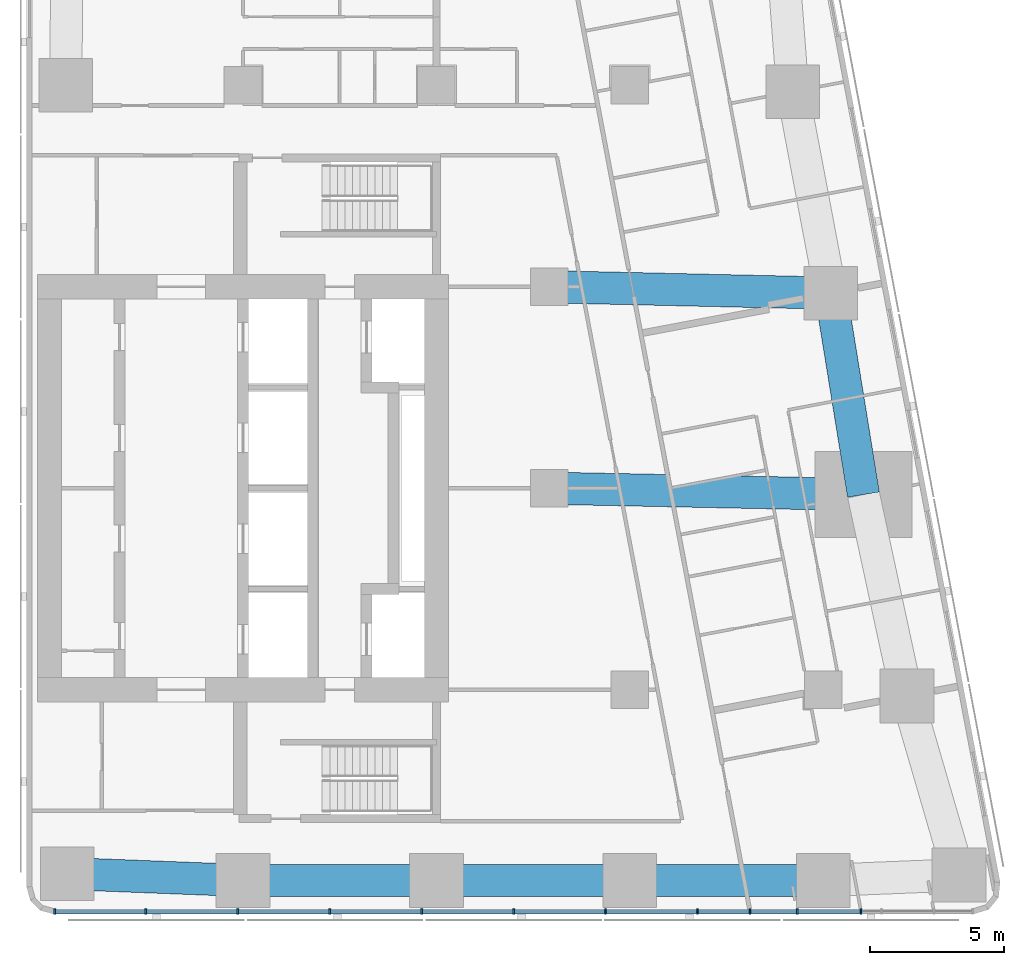
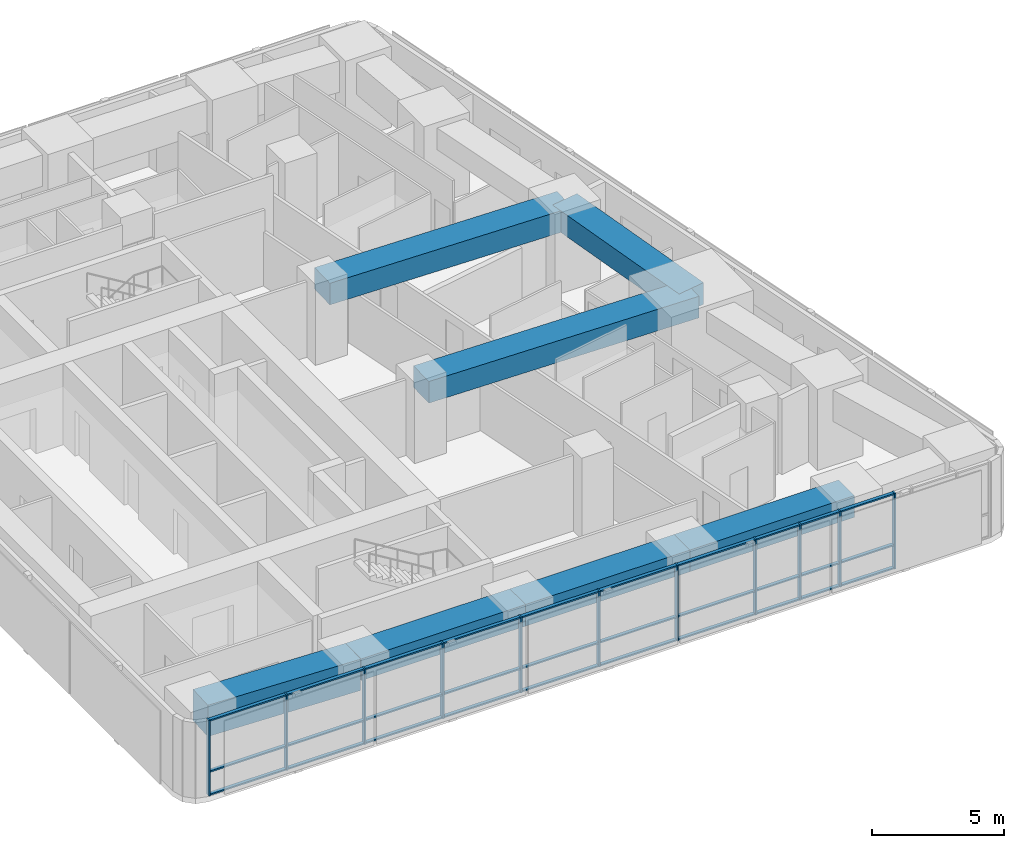
# One storey, part 2 of 11: 41 members, 7 beams, 1 element without a shape of its own.
"""IFC4 building model written with IfcOpenShell, lengths in metres."""

from ifc_helpers import new_model, si_unit, direction, frame, origin, origin_2d, place, context, subcontext, project, spatial, rectangle, extrude, material, material_profile, profile_set, type_object, element, aggregate, save


model = new_model("IFC4")

# Units and contexts
model_context = context("Model", 3, precision=1e-05, world=origin(), true_north=direction((0.0, 1.0)))
body_context = subcontext(model_context, "Body", "Model", "MODEL_VIEW")
ifc_project = project(units=[si_unit("LENGTHUNIT", "METRE"), si_unit("AREAUNIT", "SQUARE_METRE"), si_unit("VOLUMEUNIT", "CUBIC_METRE"), si_unit("PLANEANGLEUNIT", "RADIAN"), si_unit("MASSUNIT", "GRAM", prefix="KILO")], contexts=[model_context])

# Site, building, storey
site_placement = place(None, origin())
site = spatial("IfcSite", under=ifc_project, at=site_placement, CompositionType="ELEMENT")
building_placement = place(site_placement, origin())
building = spatial("IfcBuilding", under=site, at=building_placement, Name="Sheger Commons Tower", CompositionType="ELEMENT")
storey_placement = place(building_placement, frame((0.0, 0.0, 274.10009765625)))
storey = spatial("IfcBuildingStorey", under=building, at=storey_placement, Name="L70", CompositionType="ELEMENT", Elevation=274.10009765625)

# Beams
ifc_material_1 = material(Name="Concrete C50/60", Category="concrete")
ifc_material_profile_1 = material_profile(ifc_material_1, rectangle(XDim=1.199951171875, YDim=1.0, at=origin_2d()), Name="RC 1200x1000")
ifc_profile_set_1 = profile_set([ifc_material_profile_1], Name="Concrete C50/60")
beam_type_1 = type_object("IfcBeamType", Name="BEAM RC 1200x1000", PredefinedType="BEAM", material=ifc_profile_set_1)
beam_1_placement = place(storey_placement, frame((33.0, 22.5, 3.0), z_axis=(0.999794692776, -0.02026258368, 0.0), x_axis=(0.02026258368, 0.999794692776, 0.0)))
element("IfcBeam", 1, at=beam_1_placement, inside=storey, type_object=beam_type_1, Name="Beam 6-3000/D-7/D under L71", PredefinedType="BEAM", context=body_context, shape_type="SweptSolid", body=[
    extrude(rectangle(XDim=1.199951171875, YDim=1.0, at=origin_2d()), origin(), (0.0, 0.0, 1.0), 11.699462890625),
])
beam_2_placement = place(storey_placement, frame((33.0, 30.0, 3.0), z_axis=(0.999744258625, -0.022614538395, 0.0), x_axis=(0.022614538395, 0.999744258625, 0.0)))
element("IfcBeam", 2, at=beam_2_placement, inside=storey, type_object=beam_type_1, Name="Beam 6-3000/E-E/E under L71", PredefinedType="BEAM", context=body_context, shape_type="SweptSolid", body=[
    extrude(rectangle(XDim=1.199951171875, YDim=1.0, at=origin_2d()), origin(), (0.0, 0.0, 1.0), 10.482666015625),
])

# Curtain wall, members
ifc_material_2 = material(Name="Black aluminium curtain wall, dark tinted glazing", Category="aluminium")
curtain_wall_type = type_object("IfcCurtainWallType", Name="CURTAIN WALL CW5 SOUTH GALLERY", PredefinedType="USERDEFINED", material=ifc_material_2)
curtain_wall_placement = place(storey_placement, origin())
curtain_wall = element("IfcCurtainWall", 3, at=curtain_wall_placement, inside=storey, type_object=curtain_wall_type, Name="Curtain Wall Cw5 South Gallery S1 L70", ObjectType="UNITISED CURTAIN WALL", PredefinedType="USERDEFINED")
ifc_material_3 = material(Name="Black anodised aluminium", Category="aluminium")
ifc_material_profile_2 = material_profile(ifc_material_3, rectangle(XDim=0.199951171875, YDim=0.06494140625, at=origin_2d()), Name="AL 65x200")
ifc_profile_set_2 = profile_set([ifc_material_profile_2], Name="Black anodised aluminium")
member_type_1 = type_object("IfcMemberType", Name="MULLION AL 65x200", PredefinedType="MULLION", material=ifc_profile_set_2)
member_1_placement = place(storey_placement, frame((14.595458984375, 6.75, 0.0), z_axis=(0.0, 0.0, 1.0), x_axis=(0.0, 1.0, 0.0)))
member_1 = element("IfcMember", 4, at=member_1_placement, type_object=member_type_1, Name="CW5 mullion 1", PredefinedType="MULLION", context=body_context, shape_type="SweptSolid", body=[
    extrude(rectangle(XDim=0.199951171875, YDim=0.06494140625, at=origin_2d()), origin(), (0.0, 0.0, 1.0), 3.5),
])
member_2_placement = place(storey_placement, frame((17.985107421875, 6.75, 0.0), z_axis=(0.0, 0.0, 1.0), x_axis=(0.0, 1.0, 0.0)))
member_2 = element("IfcMember", 5, at=member_2_placement, type_object=member_type_1, Name="CW5 mullion 2", PredefinedType="MULLION", context=body_context, shape_type="SweptSolid", body=[
    extrude(rectangle(XDim=0.199951171875, YDim=0.06494140625, at=origin_2d()), origin(), (0.0, 0.0, 1.0), 3.5),
])
member_3_placement = place(storey_placement, frame((21.407958984375, 6.75, 0.0), z_axis=(0.0, 0.0, 1.0), x_axis=(0.0, 1.0, 0.0)))
member_3 = element("IfcMember", 6, at=member_3_placement, type_object=member_type_1, Name="CW5 mullion 3", PredefinedType="MULLION", context=body_context, shape_type="SweptSolid", body=[
    extrude(rectangle(XDim=0.199951171875, YDim=0.06494140625, at=origin_2d()), origin(), (0.0, 0.0, 1.0), 3.5),
])
member_4_placement = place(storey_placement, frame((24.830078125, 6.75, 0.0), z_axis=(0.0, 0.0, 1.0), x_axis=(0.0, 1.0, 0.0)))
member_4 = element("IfcMember", 7, at=member_4_placement, type_object=member_type_1, Name="CW5 mullion 4", PredefinedType="MULLION", context=body_context, shape_type="SweptSolid", body=[
    extrude(rectangle(XDim=0.199951171875, YDim=0.06494140625, at=origin_2d()), origin(), (0.0, 0.0, 1.0), 3.5),
])
member_5_placement = place(storey_placement, frame((28.2529296875, 6.75, 0.0), z_axis=(0.0, 0.0, 1.0), x_axis=(0.0, 1.0, 0.0)))
member_5 = element("IfcMember", 8, at=member_5_placement, type_object=member_type_1, Name="CW5 mullion 5", PredefinedType="MULLION", context=body_context, shape_type="SweptSolid", body=[
    extrude(rectangle(XDim=0.199951171875, YDim=0.06494140625, at=origin_2d()), origin(), (0.0, 0.0, 1.0), 3.5),
])
member_6_placement = place(storey_placement, frame((31.675048828125, 6.75, 0.0), z_axis=(0.0, 0.0, 1.0), x_axis=(0.0, 1.0, 0.0)))
member_6 = element("IfcMember", 9, at=member_6_placement, type_object=member_type_1, Name="CW5 mullion 6", PredefinedType="MULLION", context=body_context, shape_type="SweptSolid", body=[
    extrude(rectangle(XDim=0.199951171875, YDim=0.06494140625, at=origin_2d()), origin(), (0.0, 0.0, 1.0), 3.5),
])
member_7_placement = place(storey_placement, frame((35.096923828125, 6.75, 0.0), z_axis=(0.0, 0.0, 1.0), x_axis=(0.0, 1.0, 0.0)))
member_7 = element("IfcMember", 10, at=member_7_placement, type_object=member_type_1, Name="CW5 mullion 7", PredefinedType="MULLION", context=body_context, shape_type="SweptSolid", body=[
    extrude(rectangle(XDim=0.199951171875, YDim=0.06494140625, at=origin_2d()), origin(), (0.0, 0.0, 1.0), 3.5),
])
member_8_placement = place(storey_placement, frame((38.52001953125, 6.75, 0.0), z_axis=(0.0, 0.0, 1.0), x_axis=(0.0, 1.0, 0.0)))
member_8 = element("IfcMember", 11, at=member_8_placement, type_object=member_type_1, Name="CW5 mullion 8", PredefinedType="MULLION", context=body_context, shape_type="SweptSolid", body=[
    extrude(rectangle(XDim=0.199951171875, YDim=0.06494140625, at=origin_2d()), origin(), (0.0, 0.0, 1.0), 3.5),
])
member_9_placement = place(storey_placement, frame((40.47412109375, 6.75, 0.0), z_axis=(0.0, 0.0, 1.0), x_axis=(0.0, 1.0, 0.0)))
member_9 = element("IfcMember", 12, at=member_9_placement, type_object=member_type_1, Name="CW5 mullion 9", PredefinedType="MULLION", context=body_context, shape_type="SweptSolid", body=[
    extrude(rectangle(XDim=0.199951171875, YDim=0.06494140625, at=origin_2d()), origin(), (0.0, 0.0, 1.0), 3.5),
])
member_10_placement = place(storey_placement, frame((42.22802734375, 6.75, 0.0), z_axis=(0.0, 0.0, 1.0), x_axis=(0.0, 1.0, 0.0)))
member_10 = element("IfcMember", 13, at=member_10_placement, type_object=member_type_1, Name="CW5 mullion 10", PredefinedType="MULLION", context=body_context, shape_type="SweptSolid", body=[
    extrude(rectangle(XDim=0.199951171875, YDim=0.06494140625, at=origin_2d()), origin(), (0.0, 0.0, 1.0), 3.5),
])
member_11_placement = place(storey_placement, frame((44.60595703125, 6.75, 0.0), z_axis=(0.0, 0.0, 1.0), x_axis=(0.0, 1.0, 0.0)))
member_11 = element("IfcMember", 14, at=member_11_placement, type_object=member_type_1, Name="CW5 mullion 11", PredefinedType="MULLION", context=body_context, shape_type="SweptSolid", body=[
    extrude(rectangle(XDim=0.199951171875, YDim=0.06494140625, at=origin_2d()), origin(), (0.0, 0.0, 1.0), 3.5),
])

# Beams
ifc_material_4 = material(Name="Concrete C50/60", Category="concrete")
ifc_material_profile_3 = material_profile(ifc_material_4, rectangle(XDim=1.199951171875, YDim=1.0, at=origin_2d()), Name="RC 1200x1000")
ifc_profile_set_3 = profile_set([ifc_material_profile_3], Name="Concrete C50/60")
beam_type_2 = type_object("IfcBeamType", Name="SPANDREL RC 1200x1000", PredefinedType="SPANDREL", material=ifc_profile_set_3)
for number, where, z_axis, x_axis, name in (
    (15, (21.60009765625, 7.89990234375, 3.0), (1.0, 0.0, 0.0), (0.0, 1.0, 0.0), "Beam 4/B-5/B under L71"),
    (16, (28.800048828125, 7.89990234375, 3.0), (1.0, 0.0, 0.0), (0.0, 1.0, 0.0), "Beam 5/B-6/B under L71"),
    (17, (36.0, 7.89990234375, 3.0), (1.0, 0.0, 0.0), (0.0, 1.0, 0.0), "Beam 6/B-7/B under L71"),
):
    element("IfcBeam", number, at=place(storey_placement, frame(where, z_axis=z_axis, x_axis=x_axis)), inside=storey, type_object=beam_type_2, Name=name, PredefinedType="SPANDREL", context=body_context, shape_type="SweptSolid", body=[
        extrude(rectangle(XDim=1.199951171875, YDim=1.0, at=origin_2d()), origin(), (0.0, 0.0, 1.0), 7.199951171875),
    ])
beam_3_placement = place(storey_placement, frame((44.697021484375, 22.262939453125, 3.0), z_axis=(-0.160176929512, 0.987088319884, 0.0), x_axis=(-0.987088319884, -0.160176929512, 0.0)))
element("IfcBeam", 18, at=beam_3_placement, inside=storey, type_object=beam_type_2, Name="Beam E/D-E/E under L71", PredefinedType="SPANDREL", context=body_context, shape_type="SweptSolid", body=[
    extrude(rectangle(XDim=1.199951171875, YDim=1.0, at=origin_2d()), origin(), (0.0, 0.0, 1.0), 7.59814453125),
])
ifc_material_5 = material(Name="Concrete C50/60", Category="concrete")
ifc_material_profile_4 = material_profile(ifc_material_5, rectangle(XDim=1.199951171875, YDim=1.449951171875, at=origin_2d()), Name="RC 1200x1450")
ifc_profile_set_4 = profile_set([ifc_material_profile_4], Name="Concrete C50/60")
beam_type_3 = type_object("IfcBeamType", Name="SPANDREL RC 1200x1450", PredefinedType="SPANDREL", material=ifc_profile_set_4)
beam_4_placement = place(storey_placement, frame((15.053955078125, 8.154052734375, 2.77490234375), z_axis=(0.999247181966, -0.038795223079, 0.0), x_axis=(0.038795223079, 0.999247181966, 0.0)))
element("IfcBeam", 19, at=beam_4_placement, inside=storey, type_object=beam_type_3, Name="Beam 3/B-4/B under L71", PredefinedType="SPANDREL", context=body_context, shape_type="SweptSolid", body=[
    extrude(rectangle(XDim=1.199951171875, YDim=1.449951171875, at=origin_2d()), origin(), (0.0, 0.0, 1.0), 6.551025390625),
])

# Member
ifc_material_6 = material(Name="Black anodised aluminium", Category="aluminium")
ifc_material_profile_5 = material_profile(ifc_material_6, rectangle(XDim=0.14990234375, YDim=0.06494140625, at=origin_2d()), Name="AL 65x150")
ifc_profile_set_5 = profile_set([ifc_material_profile_5], Name="Black anodised aluminium")
member_type_2 = type_object("IfcMemberType", Name="TRANSOM AL 65x150", PredefinedType="USERDEFINED", material=ifc_profile_set_5)
member_12_placement = place(storey_placement, frame((14.6279296875, 6.75, 0.032470703125), z_axis=(1.0, 0.0, 0.0), x_axis=(0.0, 1.0, 0.0)))
member_12 = element("IfcMember", 20, at=member_12_placement, type_object=member_type_2, Name="CW5 transom 1.1", ObjectType="TRANSOM", PredefinedType="USERDEFINED", context=body_context, shape_type="SweptSolid", body=[
    extrude(rectangle(XDim=0.14990234375, YDim=0.06494140625, at=origin_2d()), origin(), (0.0, 0.0, 1.0), 3.324462890625),
])

member_13_placement = place(storey_placement, frame((14.6279296875, 6.75, 1.099853515625), z_axis=(1.0, 0.0, 0.0), x_axis=(0.0, 1.0, 0.0)))
member_13 = element("IfcMember", 21, at=member_13_placement, type_object=member_type_2, Name="CW5 transom 1.2", ObjectType="TRANSOM", PredefinedType="USERDEFINED", context=body_context, shape_type="SweptSolid", body=[
    extrude(rectangle(XDim=0.14990234375, YDim=0.06494140625, at=origin_2d()), origin(), (0.0, 0.0, 1.0), 3.324462890625),
])

member_14_placement = place(storey_placement, frame((14.6279296875, 6.75, 3.46728515625), z_axis=(1.0, 0.0, 0.0), x_axis=(0.0, 1.0, 0.0)))
member_14 = element("IfcMember", 22, at=member_14_placement, type_object=member_type_2, Name="CW5 transom 1.3", ObjectType="TRANSOM", PredefinedType="USERDEFINED", context=body_context, shape_type="SweptSolid", body=[
    extrude(rectangle(XDim=0.14990234375, YDim=0.06494140625, at=origin_2d()), origin(), (0.0, 0.0, 1.0), 3.324462890625),
])

member_15_placement = place(storey_placement, frame((18.017578125, 6.75, 0.032470703125), z_axis=(1.0, 0.0, 0.0), x_axis=(0.0, 1.0, 0.0)))
member_15 = element("IfcMember", 23, at=member_15_placement, type_object=member_type_2, Name="CW5 transom 2.1", ObjectType="TRANSOM", PredefinedType="USERDEFINED", context=body_context, shape_type="SweptSolid", body=[
    extrude(rectangle(XDim=0.14990234375, YDim=0.06494140625, at=origin_2d()), origin(), (0.0, 0.0, 1.0), 3.35791015625),
])

member_16_placement = place(storey_placement, frame((18.017578125, 6.75, 1.099853515625), z_axis=(1.0, 0.0, 0.0), x_axis=(0.0, 1.0, 0.0)))
member_16 = element("IfcMember", 24, at=member_16_placement, type_object=member_type_2, Name="CW5 transom 2.2", ObjectType="TRANSOM", PredefinedType="USERDEFINED", context=body_context, shape_type="SweptSolid", body=[
    extrude(rectangle(XDim=0.14990234375, YDim=0.06494140625, at=origin_2d()), origin(), (0.0, 0.0, 1.0), 3.35791015625),
])

member_17_placement = place(storey_placement, frame((18.017578125, 6.75, 3.46728515625), z_axis=(1.0, 0.0, 0.0), x_axis=(0.0, 1.0, 0.0)))
member_17 = element("IfcMember", 25, at=member_17_placement, type_object=member_type_2, Name="CW5 transom 2.3", ObjectType="TRANSOM", PredefinedType="USERDEFINED", context=body_context, shape_type="SweptSolid", body=[
    extrude(rectangle(XDim=0.14990234375, YDim=0.06494140625, at=origin_2d()), origin(), (0.0, 0.0, 1.0), 3.35791015625),
])

member_18_placement = place(storey_placement, frame((21.4404296875, 6.75, 0.032470703125), z_axis=(1.0, 0.0, 0.0), x_axis=(0.0, 1.0, 0.0)))
member_18 = element("IfcMember", 26, at=member_18_placement, type_object=member_type_2, Name="CW5 transom 3.1", ObjectType="TRANSOM", PredefinedType="USERDEFINED", context=body_context, shape_type="SweptSolid", body=[
    extrude(rectangle(XDim=0.14990234375, YDim=0.06494140625, at=origin_2d()), origin(), (0.0, 0.0, 1.0), 3.357177734375),
])

member_19_placement = place(storey_placement, frame((21.4404296875, 6.75, 1.099853515625), z_axis=(1.0, 0.0, 0.0), x_axis=(0.0, 1.0, 0.0)))
member_19 = element("IfcMember", 27, at=member_19_placement, type_object=member_type_2, Name="CW5 transom 3.2", ObjectType="TRANSOM", PredefinedType="USERDEFINED", context=body_context, shape_type="SweptSolid", body=[
    extrude(rectangle(XDim=0.14990234375, YDim=0.06494140625, at=origin_2d()), origin(), (0.0, 0.0, 1.0), 3.357177734375),
])

member_20_placement = place(storey_placement, frame((21.4404296875, 6.75, 3.46728515625), z_axis=(1.0, 0.0, 0.0), x_axis=(0.0, 1.0, 0.0)))
member_20 = element("IfcMember", 28, at=member_20_placement, type_object=member_type_2, Name="CW5 transom 3.3", ObjectType="TRANSOM", PredefinedType="USERDEFINED", context=body_context, shape_type="SweptSolid", body=[
    extrude(rectangle(XDim=0.14990234375, YDim=0.06494140625, at=origin_2d()), origin(), (0.0, 0.0, 1.0), 3.357177734375),
])

member_21_placement = place(storey_placement, frame((24.862548828125, 6.75, 0.032470703125), z_axis=(1.0, 0.0, 0.0), x_axis=(0.0, 1.0, 0.0)))
member_21 = element("IfcMember", 29, at=member_21_placement, type_object=member_type_2, Name="CW5 transom 4.1", ObjectType="TRANSOM", PredefinedType="USERDEFINED", context=body_context, shape_type="SweptSolid", body=[
    extrude(rectangle(XDim=0.14990234375, YDim=0.06494140625, at=origin_2d()), origin(), (0.0, 0.0, 1.0), 3.35791015625),
])

member_22_placement = place(storey_placement, frame((24.862548828125, 6.75, 1.099853515625), z_axis=(1.0, 0.0, 0.0), x_axis=(0.0, 1.0, 0.0)))
member_22 = element("IfcMember", 30, at=member_22_placement, type_object=member_type_2, Name="CW5 transom 4.2", ObjectType="TRANSOM", PredefinedType="USERDEFINED", context=body_context, shape_type="SweptSolid", body=[
    extrude(rectangle(XDim=0.14990234375, YDim=0.06494140625, at=origin_2d()), origin(), (0.0, 0.0, 1.0), 3.35791015625),
])

member_23_placement = place(storey_placement, frame((24.862548828125, 6.75, 3.46728515625), z_axis=(1.0, 0.0, 0.0), x_axis=(0.0, 1.0, 0.0)))
member_23 = element("IfcMember", 31, at=member_23_placement, type_object=member_type_2, Name="CW5 transom 4.3", ObjectType="TRANSOM", PredefinedType="USERDEFINED", context=body_context, shape_type="SweptSolid", body=[
    extrude(rectangle(XDim=0.14990234375, YDim=0.06494140625, at=origin_2d()), origin(), (0.0, 0.0, 1.0), 3.35791015625),
])

member_24_placement = place(storey_placement, frame((28.285400390625, 6.75, 0.032470703125), z_axis=(1.0, 0.0, 0.0), x_axis=(0.0, 1.0, 0.0)))
member_24 = element("IfcMember", 32, at=member_24_placement, type_object=member_type_2, Name="CW5 transom 5.1", ObjectType="TRANSOM", PredefinedType="USERDEFINED", context=body_context, shape_type="SweptSolid", body=[
    extrude(rectangle(XDim=0.14990234375, YDim=0.06494140625, at=origin_2d()), origin(), (0.0, 0.0, 1.0), 3.357177734375),
])

member_25_placement = place(storey_placement, frame((28.285400390625, 6.75, 1.099853515625), z_axis=(1.0, 0.0, 0.0), x_axis=(0.0, 1.0, 0.0)))
member_25 = element("IfcMember", 33, at=member_25_placement, type_object=member_type_2, Name="CW5 transom 5.2", ObjectType="TRANSOM", PredefinedType="USERDEFINED", context=body_context, shape_type="SweptSolid", body=[
    extrude(rectangle(XDim=0.14990234375, YDim=0.06494140625, at=origin_2d()), origin(), (0.0, 0.0, 1.0), 3.357177734375),
])

member_26_placement = place(storey_placement, frame((28.285400390625, 6.75, 3.46728515625), z_axis=(1.0, 0.0, 0.0), x_axis=(0.0, 1.0, 0.0)))
member_26 = element("IfcMember", 34, at=member_26_placement, type_object=member_type_2, Name="CW5 transom 5.3", ObjectType="TRANSOM", PredefinedType="USERDEFINED", context=body_context, shape_type="SweptSolid", body=[
    extrude(rectangle(XDim=0.14990234375, YDim=0.06494140625, at=origin_2d()), origin(), (0.0, 0.0, 1.0), 3.357177734375),
])

member_27_placement = place(storey_placement, frame((31.70751953125, 6.75, 0.032470703125), z_axis=(1.0, 0.0, 0.0), x_axis=(0.0, 1.0, 0.0)))
member_27 = element("IfcMember", 35, at=member_27_placement, type_object=member_type_2, Name="CW5 transom 6.1", ObjectType="TRANSOM", PredefinedType="USERDEFINED", context=body_context, shape_type="SweptSolid", body=[
    extrude(rectangle(XDim=0.14990234375, YDim=0.06494140625, at=origin_2d()), origin(), (0.0, 0.0, 1.0), 3.35693359375),
])

member_28_placement = place(storey_placement, frame((31.70751953125, 6.75, 1.099853515625), z_axis=(1.0, 0.0, 0.0), x_axis=(0.0, 1.0, 0.0)))
member_28 = element("IfcMember", 36, at=member_28_placement, type_object=member_type_2, Name="CW5 transom 6.2", ObjectType="TRANSOM", PredefinedType="USERDEFINED", context=body_context, shape_type="SweptSolid", body=[
    extrude(rectangle(XDim=0.14990234375, YDim=0.06494140625, at=origin_2d()), origin(), (0.0, 0.0, 1.0), 3.35693359375),
])

member_29_placement = place(storey_placement, frame((31.70751953125, 6.75, 3.46728515625), z_axis=(1.0, 0.0, 0.0), x_axis=(0.0, 1.0, 0.0)))
member_29 = element("IfcMember", 37, at=member_29_placement, type_object=member_type_2, Name="CW5 transom 6.3", ObjectType="TRANSOM", PredefinedType="USERDEFINED", context=body_context, shape_type="SweptSolid", body=[
    extrude(rectangle(XDim=0.14990234375, YDim=0.06494140625, at=origin_2d()), origin(), (0.0, 0.0, 1.0), 3.35693359375),
])

member_30_placement = place(storey_placement, frame((35.12939453125, 6.75, 0.032470703125), z_axis=(1.0, 0.0, 0.0), x_axis=(0.0, 1.0, 0.0)))
member_30 = element("IfcMember", 38, at=member_30_placement, type_object=member_type_2, Name="CW5 transom 7.1", ObjectType="TRANSOM", PredefinedType="USERDEFINED", context=body_context, shape_type="SweptSolid", body=[
    extrude(rectangle(XDim=0.14990234375, YDim=0.06494140625, at=origin_2d()), origin(), (0.0, 0.0, 1.0), 3.358154296875),
])

member_31_placement = place(storey_placement, frame((35.12939453125, 6.75, 1.099853515625), z_axis=(1.0, 0.0, 0.0), x_axis=(0.0, 1.0, 0.0)))
member_31 = element("IfcMember", 39, at=member_31_placement, type_object=member_type_2, Name="CW5 transom 7.2", ObjectType="TRANSOM", PredefinedType="USERDEFINED", context=body_context, shape_type="SweptSolid", body=[
    extrude(rectangle(XDim=0.14990234375, YDim=0.06494140625, at=origin_2d()), origin(), (0.0, 0.0, 1.0), 3.358154296875),
])

member_32_placement = place(storey_placement, frame((35.12939453125, 6.75, 3.46728515625), z_axis=(1.0, 0.0, 0.0), x_axis=(0.0, 1.0, 0.0)))
member_32 = element("IfcMember", 40, at=member_32_placement, type_object=member_type_2, Name="CW5 transom 7.3", ObjectType="TRANSOM", PredefinedType="USERDEFINED", context=body_context, shape_type="SweptSolid", body=[
    extrude(rectangle(XDim=0.14990234375, YDim=0.06494140625, at=origin_2d()), origin(), (0.0, 0.0, 1.0), 3.358154296875),
])

member_33_placement = place(storey_placement, frame((38.552490234375, 6.75, 0.032470703125), z_axis=(1.0, 0.0, 0.0), x_axis=(0.0, 1.0, 0.0)))
member_33 = element("IfcMember", 41, at=member_33_placement, type_object=member_type_2, Name="CW5 transom 8.1", ObjectType="TRANSOM", PredefinedType="USERDEFINED", context=body_context, shape_type="SweptSolid", body=[
    extrude(rectangle(XDim=0.14990234375, YDim=0.06494140625, at=origin_2d()), origin(), (0.0, 0.0, 1.0), 1.888916015625),
])

member_34_placement = place(storey_placement, frame((38.552490234375, 6.75, 1.099853515625), z_axis=(1.0, 0.0, 0.0), x_axis=(0.0, 1.0, 0.0)))
member_34 = element("IfcMember", 42, at=member_34_placement, type_object=member_type_2, Name="CW5 transom 8.2", ObjectType="TRANSOM", PredefinedType="USERDEFINED", context=body_context, shape_type="SweptSolid", body=[
    extrude(rectangle(XDim=0.14990234375, YDim=0.06494140625, at=origin_2d()), origin(), (0.0, 0.0, 1.0), 1.888916015625),
])

member_35_placement = place(storey_placement, frame((38.552490234375, 6.75, 3.46728515625), z_axis=(1.0, 0.0, 0.0), x_axis=(0.0, 1.0, 0.0)))
member_35 = element("IfcMember", 43, at=member_35_placement, type_object=member_type_2, Name="CW5 transom 8.3", ObjectType="TRANSOM", PredefinedType="USERDEFINED", context=body_context, shape_type="SweptSolid", body=[
    extrude(rectangle(XDim=0.14990234375, YDim=0.06494140625, at=origin_2d()), origin(), (0.0, 0.0, 1.0), 1.888916015625),
])

member_36_placement = place(storey_placement, frame((40.506591796875, 6.75, 0.032470703125), z_axis=(1.0, 0.0, 0.0), x_axis=(0.0, 1.0, 0.0)))
member_36 = element("IfcMember", 44, at=member_36_placement, type_object=member_type_2, Name="CW5 transom 9.1", ObjectType="TRANSOM", PredefinedType="USERDEFINED", context=body_context, shape_type="SweptSolid", body=[
    extrude(rectangle(XDim=0.14990234375, YDim=0.06494140625, at=origin_2d()), origin(), (0.0, 0.0, 1.0), 1.68896484375),
])

member_37_placement = place(storey_placement, frame((40.506591796875, 6.75, 1.099853515625), z_axis=(1.0, 0.0, 0.0), x_axis=(0.0, 1.0, 0.0)))
member_37 = element("IfcMember", 45, at=member_37_placement, type_object=member_type_2, Name="CW5 transom 9.2", ObjectType="TRANSOM", PredefinedType="USERDEFINED", context=body_context, shape_type="SweptSolid", body=[
    extrude(rectangle(XDim=0.14990234375, YDim=0.06494140625, at=origin_2d()), origin(), (0.0, 0.0, 1.0), 1.68896484375),
])

member_38_placement = place(storey_placement, frame((40.506591796875, 6.75, 3.46728515625), z_axis=(1.0, 0.0, 0.0), x_axis=(0.0, 1.0, 0.0)))
member_38 = element("IfcMember", 46, at=member_38_placement, type_object=member_type_2, Name="CW5 transom 9.3", ObjectType="TRANSOM", PredefinedType="USERDEFINED", context=body_context, shape_type="SweptSolid", body=[
    extrude(rectangle(XDim=0.14990234375, YDim=0.06494140625, at=origin_2d()), origin(), (0.0, 0.0, 1.0), 1.68896484375),
])

member_39_placement = place(storey_placement, frame((42.260498046875, 6.75, 0.032470703125), z_axis=(1.0, 0.0, 0.0), x_axis=(0.0, 1.0, 0.0)))
member_39 = element("IfcMember", 47, at=member_39_placement, type_object=member_type_2, Name="CW5 transom 10.1", ObjectType="TRANSOM", PredefinedType="USERDEFINED", context=body_context, shape_type="SweptSolid", body=[
    extrude(rectangle(XDim=0.14990234375, YDim=0.06494140625, at=origin_2d()), origin(), (0.0, 0.0, 1.0), 2.31298828125),
])

member_40_placement = place(storey_placement, frame((42.260498046875, 6.75, 1.099853515625), z_axis=(1.0, 0.0, 0.0), x_axis=(0.0, 1.0, 0.0)))
member_40 = element("IfcMember", 48, at=member_40_placement, type_object=member_type_2, Name="CW5 transom 10.2", ObjectType="TRANSOM", PredefinedType="USERDEFINED", context=body_context, shape_type="SweptSolid", body=[
    extrude(rectangle(XDim=0.14990234375, YDim=0.06494140625, at=origin_2d()), origin(), (0.0, 0.0, 1.0), 2.31298828125),
])

member_41_placement = place(storey_placement, frame((42.260498046875, 6.75, 3.46728515625), z_axis=(1.0, 0.0, 0.0), x_axis=(0.0, 1.0, 0.0)))
member_41 = element("IfcMember", 49, at=member_41_placement, type_object=member_type_2, Name="CW5 transom 10.3", ObjectType="TRANSOM", PredefinedType="USERDEFINED", context=body_context, shape_type="SweptSolid", body=[
    extrude(rectangle(XDim=0.14990234375, YDim=0.06494140625, at=origin_2d()), origin(), (0.0, 0.0, 1.0), 2.31298828125),
])

aggregate(curtain_wall, [member_1, member_2, member_3, member_4, member_5, member_6, member_7, member_8, member_9, member_10, member_11, member_12, member_13, member_14, member_15, member_16, member_17, member_18, member_19, member_20, member_21, member_22, member_23, member_24, member_25, member_26, member_27, member_28, member_29, member_30, member_31, member_32, member_33, member_34, member_35, member_36, member_37, member_38, member_39, member_40, member_41])

save(model, "model.ifc")
